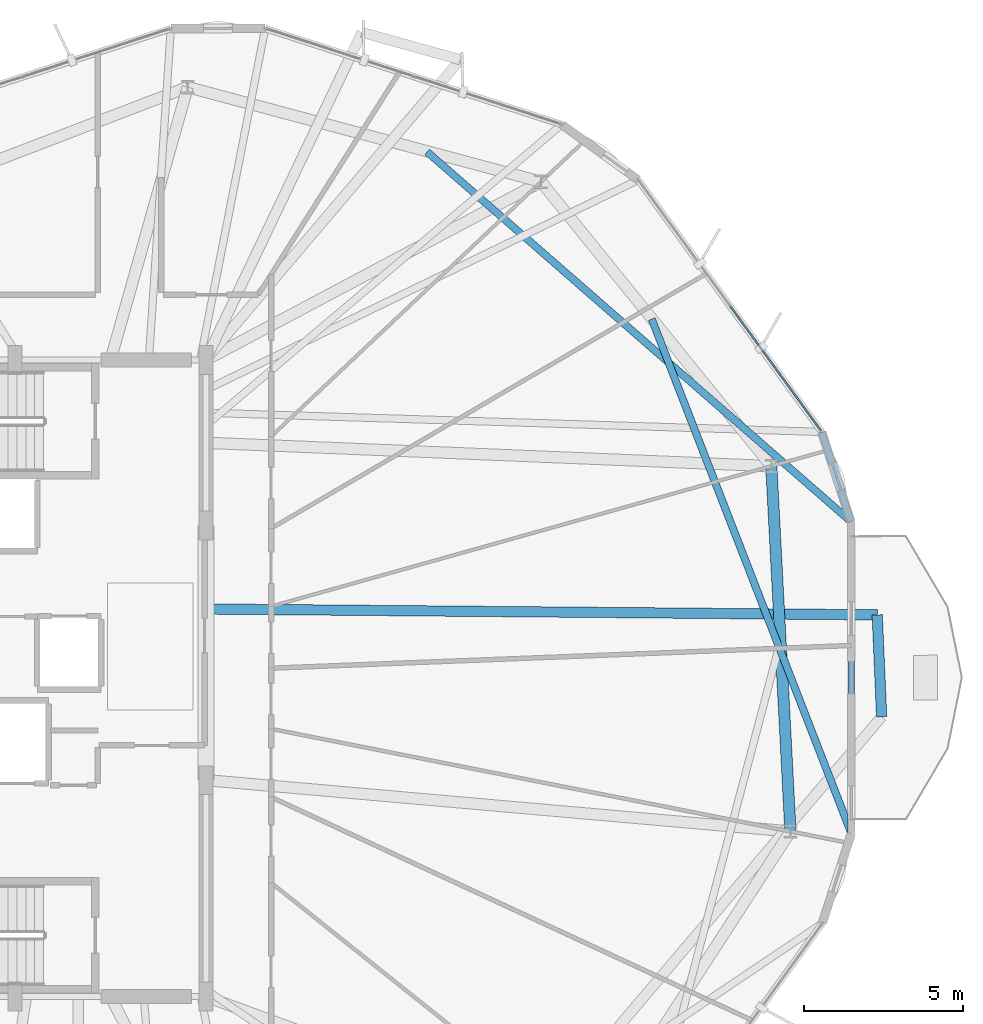
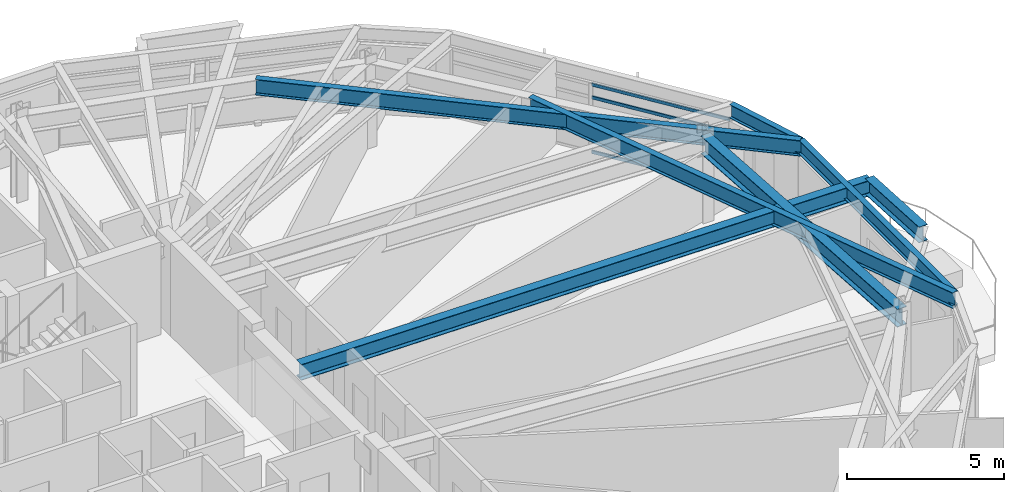
# One storey, part 16 of 31: 7 beams, 3 members, 1 element without a shape of its own.
"""IFC4 building model written with IfcOpenShell, lengths in metres."""

from ifc_helpers import new_model, si_unit, direction, frame, origin, origin_2d, place, context, subcontext, project, spatial, hollow_rectangle, i_section, extrude, material, layer, layer_set, material_profile, profile_set, type_object, element, aggregate, save


model = new_model("IFC4")

# Units and contexts
model_context = context("Model", 3, precision=1e-05, world=origin(), true_north=direction((0.0, 1.0)))
body_context = subcontext(model_context, "Body", "Model", "MODEL_VIEW")
ifc_project = project(units=[si_unit("LENGTHUNIT", "METRE"), si_unit("AREAUNIT", "SQUARE_METRE"), si_unit("VOLUMEUNIT", "CUBIC_METRE"), si_unit("PLANEANGLEUNIT", "RADIAN"), si_unit("MASSUNIT", "GRAM", prefix="KILO")], contexts=[model_context])

# Site, building, storey
site_placement = place(None, origin())
site = spatial("IfcSite", under=ifc_project, at=site_placement, CompositionType="ELEMENT")
building_placement = place(site_placement, origin())
building = spatial("IfcBuilding", under=site, at=building_placement, Name="Soratama Intermodal Tower", CompositionType="ELEMENT")
storey_placement = place(building_placement, frame((0.0, 0.0, 230.199951171875)))
storey = spatial("IfcBuildingStorey", under=building, at=storey_placement, Name="L58", CompositionType="ELEMENT", Elevation=230.199951171875)

# Beams
ifc_material_1 = material(Name="Structural steel ASTM A992 Grade 50", Category="steel")
ifc_material_profile_1 = material_profile(ifc_material_1, i_section(OverallWidth=0.324951171875, OverallDepth=0.615966796875, WebThickness=0.013916015625, FlangeThickness=0.021484375, FilletRadius=0.013916015625, at=origin_2d()), Name="W24X117")
ifc_profile_set_1 = profile_set([ifc_material_profile_1], Name="Structural steel ASTM A992 Grade 50")
beam_type_1 = type_object("IfcBeamType", Name="BM-CANT-W24X117", PredefinedType="BEAM", material=ifc_profile_set_1)
beam_1_placement = place(storey_placement, frame((65.8310546875, 23.791015625, 2.991943359375), z_axis=(-0.043053627559, 0.999072762693, 0.0), x_axis=(-0.999072762693, -0.043053627559, 0.0)))
element("IfcBeam", 1, at=beam_1_placement, inside=storey, type_object=beam_type_1, Name="BM-L58-CBHDR-1", PredefinedType="BEAM", context=body_context, shape_type="SweptSolid", body=[
    extrude(i_section(OverallWidth=0.324951171875, OverallDepth=0.615966796875, WebThickness=0.013916015625, FlangeThickness=0.021484375, FilletRadius=0.013916015625, at=origin_2d()), origin(), (0.0, 0.0, 1.0), 3.203857421875),
])
beam_2_placement = place(storey_placement, frame((44.8349609375, 27.175048828125, 2.991943359375), z_axis=(0.999961470286, -0.00877826538, 0.0), x_axis=(0.00877826538, 0.999961470286, 0.0)))
element("IfcBeam", 2, at=beam_2_placement, inside=storey, type_object=beam_type_1, Name="BM-L58-CANT-1-2", PredefinedType="BEAM", context=body_context, shape_type="SweptSolid", body=[
    extrude(i_section(OverallWidth=0.324951171875, OverallDepth=0.615966796875, WebThickness=0.013916015625, FlangeThickness=0.021484375, FilletRadius=0.013916015625, at=origin_2d()), origin(), (0.0, 0.0, 1.0), 20.85888671875),
])
ifc_material_2 = material(Name="Structural steel ASTM A992 Grade 50", Category="steel")
ifc_material_profile_2 = material_profile(ifc_material_2, i_section(OverallWidth=0.35498046875, OverallDepth=0.695068359375, WebThickness=0.015380859375, FlangeThickness=0.02490234375, FilletRadius=0.01611328125, at=origin_2d()), Name="W27X146")
ifc_profile_set_2 = profile_set([ifc_material_profile_2], Name="Structural steel ASTM A992 Grade 50")
beam_type_2 = type_object("IfcBeamType", Name="BM-RING-W27X146", PredefinedType="BEAM", material=ifc_profile_set_2)
beam_3_placement = place(storey_placement, frame((62.966064453125, 20.18603515625, 2.95263671875), z_axis=(-0.052286849724, 0.998632107108, 0.0), x_axis=(-0.998632107108, -0.052286849724, 0.0)))
element("IfcBeam", 3, at=beam_3_placement, inside=storey, type_object=beam_type_2, Name="BM-L58-RING-10", PredefinedType="BEAM", context=body_context, shape_type="SweptSolid", body=[
    extrude(i_section(OverallWidth=0.35498046875, OverallDepth=0.695068359375, WebThickness=0.015380859375, FlangeThickness=0.02490234375, FilletRadius=0.01611328125, at=origin_2d()), origin(), (0.0, 0.0, 1.0), 11.49560546875),
])
ifc_material_3 = material(Name="Structural steel ASTM A992 Grade 50", Category="steel")
ifc_material_profile_3 = material_profile(ifc_material_3, i_section(OverallWidth=0.2099609375, OverallDepth=0.537109375, WebThickness=0.010986328125, FlangeThickness=0.017333984375, FilletRadius=0.012939453125, at=origin_2d()), Name="W21X68")
ifc_profile_set_3 = profile_set([ifc_material_profile_3], Name="Structural steel ASTM A992 Grade 50")
beam_type_3 = type_object("IfcBeamType", Name="BM-SPN-W21X68", PredefinedType="SPANDREL", material=ifc_profile_set_3)
beam_4_placement = place(storey_placement, frame((64.882080078125, 20.1220703125, 3.031494140625), z_axis=(-0.001021628092, 0.999999478138, 0.0), x_axis=(-0.999999478138, -0.001021628092, 0.0)))
element("IfcBeam", 4, at=beam_4_placement, inside=storey, type_object=beam_type_3, Name="BS-L58-F09", PredefinedType="SPANDREL", context=body_context, shape_type="SweptSolid", body=[
    extrude(i_section(OverallWidth=0.2099609375, OverallDepth=0.537109375, WebThickness=0.010986328125, FlangeThickness=0.017333984375, FilletRadius=0.012939453125, at=origin_2d()), origin(), (0.0, 0.0, 1.0), 9.7978515625),
])
beam_5_placement = place(storey_placement, frame((64.8720703125, 29.919921875, 3.031494140625), z_axis=(-0.31019687091, 0.950672341702, 0.0), x_axis=(-0.950672341702, -0.31019687091, 0.0)))
element("IfcBeam", 5, at=beam_5_placement, inside=storey, type_object=beam_type_3, Name="BS-L58-CRN09", PredefinedType="SPANDREL", context=body_context, shape_type="SweptSolid", body=[
    extrude(i_section(OverallWidth=0.2099609375, OverallDepth=0.537109375, WebThickness=0.010986328125, FlangeThickness=0.017333984375, FilletRadius=0.012939453125, at=origin_2d()), origin(), (0.0, 0.0, 1.0), 2.96630859375),
])
ifc_material_4 = material(Name="Structural steel ASTM A992 Grade 50", Category="steel")
ifc_material_profile_4 = material_profile(ifc_material_4, i_section(OverallWidth=0.22900390625, OverallDepth=0.612060546875, WebThickness=0.011962890625, FlangeThickness=0.01953125, FilletRadius=0.012939453125, at=origin_2d()), Name="W24X84")
ifc_profile_set_4 = profile_set([ifc_material_profile_4], Name="Structural steel ASTM A992 Grade 50")
beam_type_4 = type_object("IfcBeamType", Name="BM-TIE-W24X84", PredefinedType="BEAM", material=ifc_profile_set_4)
beam_6_placement = place(storey_placement, frame((58.60791015625, 36.284912109375, 2.994140625), z_axis=(0.361876069406, -0.932226212028, 0.0), x_axis=(0.932226212028, 0.361876069406, 0.0)))
element("IfcBeam", 6, at=beam_6_placement, inside=storey, type_object=beam_type_4, Name="BM-L58-TIE0-09", PredefinedType="BEAM", context=body_context, shape_type="SweptSolid", body=[
    extrude(i_section(OverallWidth=0.22900390625, OverallDepth=0.612060546875, WebThickness=0.011962890625, FlangeThickness=0.01953125, FilletRadius=0.012939453125, at=origin_2d()), origin(), (0.0, 0.0, 1.0), 17.337890625),
])
beam_7_placement = place(storey_placement, frame((51.548095703125, 41.541015625, 2.994140625), z_axis=(0.753623633651, -0.65730618345, 0.0), x_axis=(0.65730618345, 0.753623633651, 0.0)))
element("IfcBeam", 7, at=beam_7_placement, inside=storey, type_object=beam_type_4, Name="BM-L58-TIE1-09", PredefinedType="BEAM", context=body_context, shape_type="SweptSolid", body=[
    extrude(i_section(OverallWidth=0.22900390625, OverallDepth=0.612060546875, WebThickness=0.011962890625, FlangeThickness=0.01953125, FilletRadius=0.012939453125, at=origin_2d()), origin(), (0.0, 0.0, 1.0), 17.679931640625),
])

# Curtain wall, members
ifc_material_5 = material(Name="Double-glazed aluminium curtain wall", Category="aluminium")
ifc_layer = layer(ifc_material_5, 0.159912109375)
ifc_layer_set = layer_set([ifc_layer], Name="Double-glazed aluminium curtain wall")
curtain_wall_type = type_object("IfcCurtainWallType", Name="CW-SYS-5", PredefinedType="NOTDEFINED", material=ifc_layer_set)
curtain_wall_placement = place(storey_placement, origin())
curtain_wall = element("IfcCurtainWall", 8, at=curtain_wall_placement, inside=storey, type_object=curtain_wall_type, Name="L58 Faceted Curtain Wall F10", PredefinedType="NOTDEFINED")
ifc_material_6 = material(Name="Anodised aluminium AA 6063-T6", Category="aluminium")
ifc_material_profile_5 = material_profile(ifc_material_6, hollow_rectangle(XDim=0.06005859375, YDim=0.1298828125, WallThickness=0.0048828125, InnerFilletRadius=0.0048828125, OuterFilletRadius=0.010009765625, at=origin_2d()), Name="CWT130X60X5")
ifc_profile_set_5 = profile_set([ifc_material_profile_5], Name="Anodised aluminium AA 6063-T6")
member_type = type_object("IfcMemberType", Name="TT-CWT-2", PredefinedType="USERDEFINED", material=ifc_profile_set_5)
member_1_placement = place(storey_placement, frame((63.9169921875, 32.78857421875, 0.030029296875), z_axis=(-0.588624416717, 0.808406640278, 0.0), x_axis=(-0.808406640278, -0.588624416717, 0.0)))
member_1 = element("IfcMember", 9, at=member_1_placement, type_object=member_type, Name="CW-5 transom 1.1", ObjectType="TRANSOM", PredefinedType="USERDEFINED", context=body_context, shape_type="SweptSolid", body=[
    extrude(hollow_rectangle(XDim=0.06005859375, YDim=0.1298828125, WallThickness=0.0048828125, InnerFilletRadius=0.0048828125, OuterFilletRadius=0.010009765625, at=origin_2d()), origin(), (0.0, 0.0, 1.0), 4.808837890625),
])
member_2_placement = place(storey_placement, frame((63.9169921875, 32.78857421875, 2.150146484375), z_axis=(-0.588624416717, 0.808406640278, 0.0), x_axis=(-0.808406640278, -0.588624416717, 0.0)))
member_2 = element("IfcMember", 10, at=member_2_placement, type_object=member_type, Name="CW-5 transom 1.2", ObjectType="TRANSOM", PredefinedType="USERDEFINED", context=body_context, shape_type="SweptSolid", body=[
    extrude(hollow_rectangle(XDim=0.06005859375, YDim=0.1298828125, WallThickness=0.0048828125, InnerFilletRadius=0.0048828125, OuterFilletRadius=0.010009765625, at=origin_2d()), origin(), (0.0, 0.0, 1.0), 4.808837890625),
])
member_3_placement = place(storey_placement, frame((63.9169921875, 32.78857421875, 2.649169921875), z_axis=(-0.588624416717, 0.808406640278, 0.0), x_axis=(-0.808406640278, -0.588624416717, 0.0)))
member_3 = element("IfcMember", 11, at=member_3_placement, type_object=member_type, Name="CW-5 transom 1.3", ObjectType="TRANSOM", PredefinedType="USERDEFINED", context=body_context, shape_type="SweptSolid", body=[
    extrude(hollow_rectangle(XDim=0.06005859375, YDim=0.1298828125, WallThickness=0.0048828125, InnerFilletRadius=0.0048828125, OuterFilletRadius=0.010009765625, at=origin_2d()), origin(), (0.0, 0.0, 1.0), 4.808837890625),
])
aggregate(curtain_wall, [member_1, member_2, member_3])

save(model, "model.ifc")
